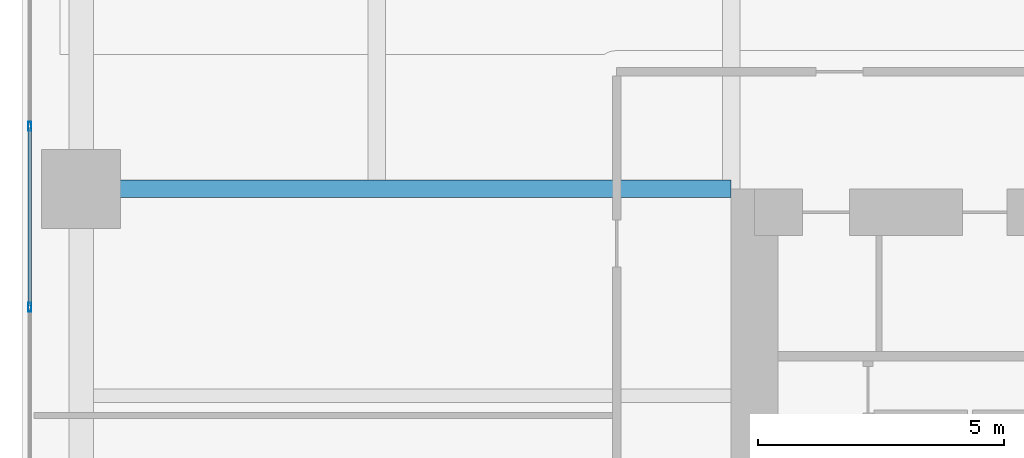
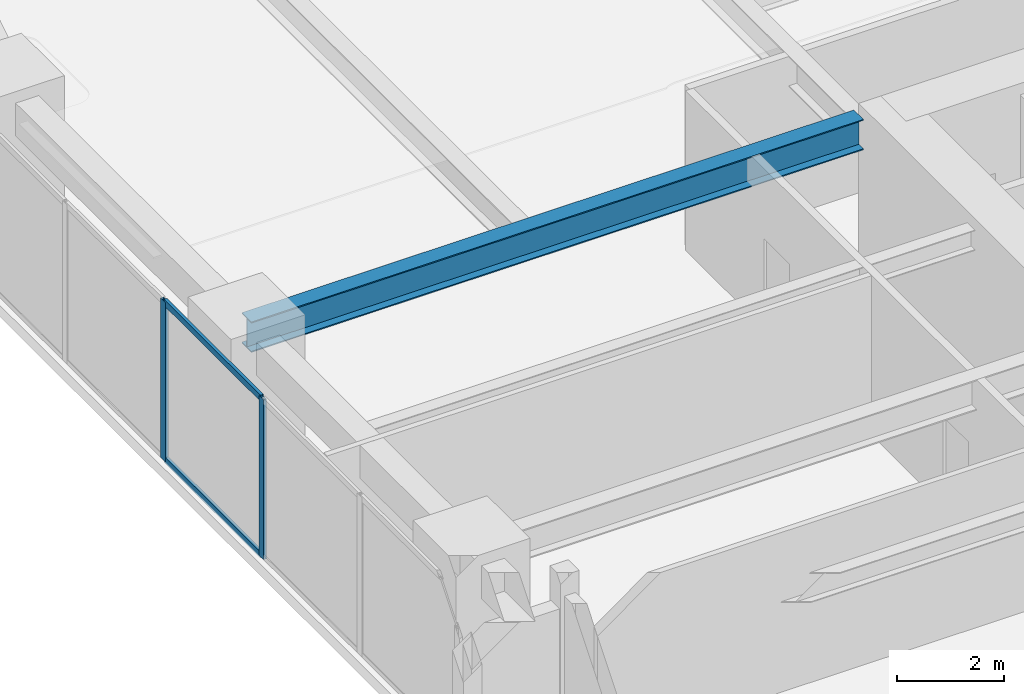
# One storey, part 11 of 28: 4 members, 1 beam, 1 element without a shape of its own.
"""IFC4 building model written with IfcOpenShell, lengths in metres."""

from ifc_helpers import new_model, si_unit, direction, frame, origin, origin_2d, place, context, subcontext, project, spatial, hollow_rectangle, i_section, extrude, material, layer, layer_set, material_profile, profile_set, type_object, element, aggregate, save


model = new_model("IFC4")

# Units and contexts
model_context = context("Model", 3, precision=1e-05, world=origin(), true_north=direction((0.0, 1.0)))
body_context = subcontext(model_context, "Body", "Model", "MODEL_VIEW")
ifc_project = project(units=[si_unit("LENGTHUNIT", "METRE"), si_unit("AREAUNIT", "SQUARE_METRE"), si_unit("VOLUMEUNIT", "CUBIC_METRE"), si_unit("PLANEANGLEUNIT", "RADIAN"), si_unit("MASSUNIT", "GRAM", prefix="KILO")], contexts=[model_context])

# Site, building, storey
site_placement = place(None, origin())
site = spatial("IfcSite", under=ifc_project, at=site_placement, CompositionType="ELEMENT")
building_placement = place(site_placement, origin())
building = spatial("IfcBuilding", under=site, at=building_placement, Name="Kiyonajd Concourse Tower", CompositionType="ELEMENT")
storey_placement = place(building_placement, frame((0.0, 0.0, 33.300048828125)))
storey = spatial("IfcBuildingStorey", under=building, at=storey_placement, Name="L09", CompositionType="ELEMENT", Elevation=33.300048828125)

# Beam
ifc_material_1 = material(Name="Steel ASTM A992 Grade 50", Category="steel")
ifc_material_profile_1 = material_profile(ifc_material_1, i_section(OverallWidth=0.35498046875, OverallDepth=0.695068359375, WebThickness=0.015380859375, FlangeThickness=0.02490234375, at=origin_2d()), Name="W690X217")
ifc_profile_set_1 = profile_set([ifc_material_profile_1], Name="Steel ASTM A992 Grade 50")
beam_type = type_object("IfcBeamType", Name="BM-TWR-690", PredefinedType="BEAM", material=ifc_profile_set_1)
beam_placement = place(storey_placement, frame((19.199951171875, 44.39990234375, 3.29248046875), z_axis=(1.0, 0.0, 0.0), x_axis=(0.0, 1.0, 0.0)))
element("IfcBeam", 1, at=beam_placement, inside=storey, type_object=beam_type, Name="L09 West Lease Girder", PredefinedType="BEAM", context=body_context, shape_type="SweptSolid", body=[
    extrude(i_section(OverallWidth=0.35498046875, OverallDepth=0.695068359375, WebThickness=0.015380859375, FlangeThickness=0.02490234375, at=origin_2d()), origin(), (0.0, 0.0, 1.0), 13.199951171875),
])

# Curtain wall, members
ifc_material_2 = material(Name="Thermally Broken Anodised Aluminium", Category="aluminium")
ifc_layer = layer(ifc_material_2, 0.179931640625)
ifc_layer_set = layer_set([ifc_layer], Name="Thermally Broken Anodised Aluminium")
curtain_wall_type = type_object("IfcCurtainWallType", Name="CW-SYS-02", PredefinedType="NOTDEFINED", material=ifc_layer_set)
curtain_wall_placement = place(storey_placement, origin())
curtain_wall = element("IfcCurtainWall", 2, at=curtain_wall_placement, inside=storey, type_object=curtain_wall_type, Name="L09 Unitised Curtain Wall CW2", PredefinedType="NOTDEFINED")
ifc_material_profile_2 = material_profile(ifc_material_2, hollow_rectangle(XDim=0.06494140625, YDim=0.179931640625, WallThickness=0.00390625, at=origin_2d()), Name="MULL-65x180")
ifc_profile_set_2 = profile_set([ifc_material_profile_2], Name="Thermally Broken Anodised Aluminium")
member_type_1 = type_object("IfcMemberType", Name="MB-CW-MULL1", PredefinedType="MULLION", material=ifc_profile_set_2)
member_1_placement = place(storey_placement, frame((18.159912109375, 41.996337890625, 0.0), z_axis=(0.0, 0.0, 1.0), x_axis=(-1.0, 0.0, 0.0)))
member_1 = element("IfcMember", 3, at=member_1_placement, type_object=member_type_1, Name="CW2 mullion 3", PredefinedType="MULLION", context=body_context, shape_type="SweptSolid", body=[
    extrude(hollow_rectangle(XDim=0.06494140625, YDim=0.179931640625, WallThickness=0.00390625, at=origin_2d()), origin(), (0.0, 0.0, 1.0), 3.639892578125),
])
member_2_placement = place(storey_placement, frame((18.159912109375, 45.66943359375, 0.0), z_axis=(0.0, 0.0, 1.0), x_axis=(-1.0, 0.0, 0.0)))
member_2 = element("IfcMember", 4, at=member_2_placement, type_object=member_type_1, Name="CW2 mullion 4", PredefinedType="MULLION", context=body_context, shape_type="SweptSolid", body=[
    extrude(hollow_rectangle(XDim=0.06494140625, YDim=0.179931640625, WallThickness=0.00390625, at=origin_2d()), origin(), (0.0, 0.0, 1.0), 3.639892578125),
])
ifc_material_profile_3 = material_profile(ifc_material_2, hollow_rectangle(XDim=0.06494140625, YDim=0.139892578125, WallThickness=0.00390625, at=origin_2d()), Name="TRAN-65x140")
ifc_profile_set_3 = profile_set([ifc_material_profile_3], Name="Thermally Broken Anodised Aluminium")
member_type_2 = type_object("IfcMemberType", Name="MB-CW-TRAN1", PredefinedType="USERDEFINED", material=ifc_profile_set_3)
member_3_placement = place(storey_placement, frame((18.159912109375, 42.02880859375, 0.032470703125), z_axis=(0.0, 1.0, 0.0), x_axis=(-1.0, 0.0, 0.0)))
member_3 = element("IfcMember", 5, at=member_3_placement, type_object=member_type_2, Name="CW2 transom 3.1", ObjectType="TRANSOM", PredefinedType="USERDEFINED", context=body_context, shape_type="SweptSolid", body=[
    extrude(hollow_rectangle(XDim=0.06494140625, YDim=0.139892578125, WallThickness=0.00390625, at=origin_2d()), origin(), (0.0, 0.0, 1.0), 3.608154296875),
])
member_4_placement = place(storey_placement, frame((18.159912109375, 42.02880859375, 3.607421875), z_axis=(0.0, 1.0, 0.0), x_axis=(-1.0, 0.0, 0.0)))
member_4 = element("IfcMember", 6, at=member_4_placement, type_object=member_type_2, Name="CW2 transom 3.2", ObjectType="TRANSOM", PredefinedType="USERDEFINED", context=body_context, shape_type="SweptSolid", body=[
    extrude(hollow_rectangle(XDim=0.06494140625, YDim=0.139892578125, WallThickness=0.00390625, at=origin_2d()), origin(), (0.0, 0.0, 1.0), 3.608154296875),
])
aggregate(curtain_wall, [member_1, member_2, member_3, member_4])

save(model, "model.ifc")
